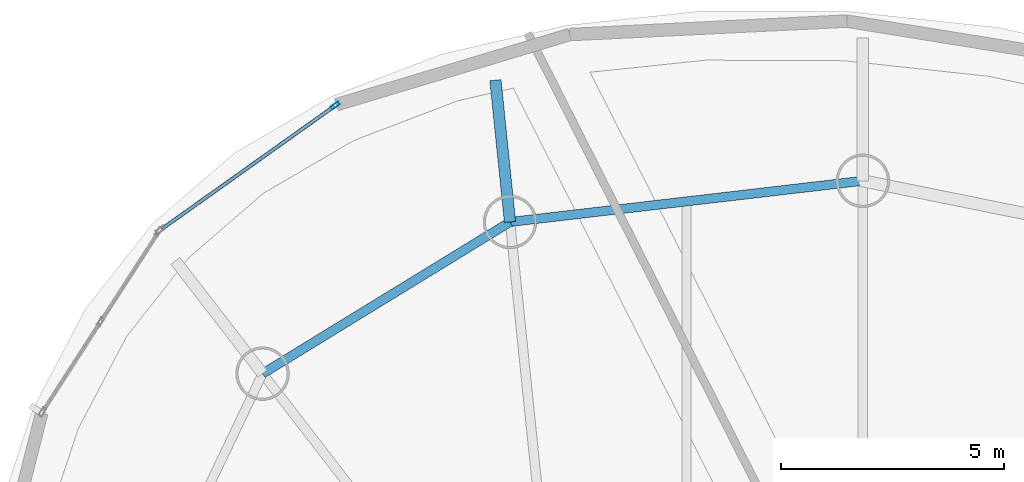
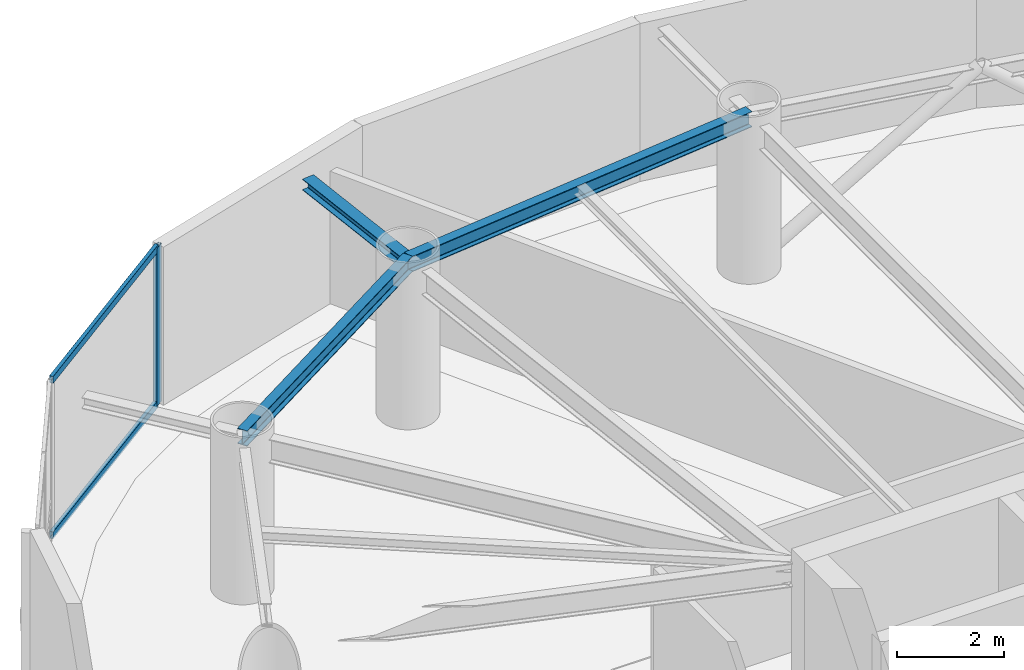
# One storey, part 9 of 18: 3 beams, 3 members, 1 element without a shape of its own.
"""IFC4 building model written with IfcOpenShell, lengths in metres."""

from ifc_helpers import new_model, si_unit, direction, frame, origin, origin_2d, place, context, subcontext, project, spatial, hollow_rectangle, i_section, extrude, material, layer, layer_set, material_profile, profile_set, type_object, element, aggregate, save


model = new_model("IFC4")

# Units and contexts
model_context = context("Model", 3, precision=1e-05, world=origin(), true_north=direction((0.0, 1.0)))
body_context = subcontext(model_context, "Body", "Model", "MODEL_VIEW")
ifc_project = project(units=[si_unit("LENGTHUNIT", "METRE"), si_unit("AREAUNIT", "SQUARE_METRE"), si_unit("VOLUMEUNIT", "CUBIC_METRE"), si_unit("PLANEANGLEUNIT", "RADIAN"), si_unit("MASSUNIT", "GRAM", prefix="KILO")], contexts=[model_context])

# Site, building, storey
site_placement = place(None, origin())
site = spatial("IfcSite", under=ifc_project, at=site_placement, CompositionType="ELEMENT")
building_placement = place(site_placement, origin())
building = spatial("IfcBuilding", under=site, at=building_placement, Name="Bramvorn Convention Spire", CompositionType="ELEMENT")
storey_placement = place(building_placement, frame((0.0, 0.0, 205.85009765625)))
storey = spatial("IfcBuildingStorey", under=building, at=storey_placement, Name="L52", CompositionType="ELEMENT", Elevation=205.85009765625)

# Beams
ifc_material_1 = material(Name="Steel CSA G40.21 Grade 350 (350W)", Category="steel")
ifc_material_profile_1 = material_profile(ifc_material_1, i_section(OverallWidth=0.25390625, OverallDepth=0.2529296875, WebThickness=0.008544921875, FlangeThickness=0.01416015625, FilletRadius=0.011962890625, at=origin_2d()))
ifc_profile_set_1 = profile_set([ifc_material_profile_1], Name="Steel CSA G40.21 Grade 350 (350W) - W250X73")
beam_type_1 = type_object("IfcBeamType", Name="BM-W250X73", PredefinedType="BEAM", material=ifc_profile_set_1)
beam_1_placement = place(storey_placement, frame((25.49560546875, 45.663818359375, 3.45849609375), z_axis=(-0.10223018875, 0.994760769486, 0.0), x_axis=(-0.994760769486, -0.10223018875, 0.0)))
element("IfcBeam", 1, at=beam_1_placement, inside=storey, type_object=beam_type_1, Name="L52 slab-edge cantilever tip beam MC08", PredefinedType="BEAM", context=body_context, shape_type="SweptSolid", body=[
    extrude(i_section(OverallWidth=0.25390625, OverallDepth=0.2529296875, WebThickness=0.008544921875, FlangeThickness=0.01416015625, FilletRadius=0.011962890625, at=origin_2d()), origin(), (0.0, 0.0, 1.0), 3.2001953125),
])
ifc_material_profile_2 = material_profile(ifc_material_1, i_section(OverallWidth=0.205078125, OverallDepth=0.35400390625, WebThickness=0.009521484375, FlangeThickness=0.016845703125, FilletRadius=0.014892578125, at=origin_2d()))
ifc_profile_set_2 = profile_set([ifc_material_profile_2], Name="Steel CSA G40.21 Grade 350 (350W) - W360X79")
beam_type_2 = type_object("IfcBeamType", Name="BM-W360X79", PredefinedType="JOIST", material=ifc_profile_set_2)
beam_2_placement = place(storey_placement, frame((33.416259765625, 46.58837890625, 3.44287109375), z_axis=(-0.993256148339, -0.115940604561, 0.0), x_axis=(0.115940604561, -0.993256148339, 0.0)))
element("IfcBeam", 2, at=beam_2_placement, inside=storey, type_object=beam_type_2, Name="L52 mega-column ring beam 07", PredefinedType="JOIST", context=body_context, shape_type="SweptSolid", body=[
    extrude(i_section(OverallWidth=0.205078125, OverallDepth=0.35400390625, WebThickness=0.009521484375, FlangeThickness=0.016845703125, FilletRadius=0.014892578125, at=origin_2d()), origin(), (0.0, 0.0, 1.0), 7.974365234375),
])
beam_3_placement = place(storey_placement, frame((25.49560546875, 45.663818359375, 3.44287109375), z_axis=(-0.852616873135, -0.522536570629, 0.0), x_axis=(0.522536570629, -0.852616873135, 0.0)))
element("IfcBeam", 3, at=beam_3_placement, inside=storey, type_object=beam_type_2, Name="L52 mega-column ring beam 08", PredefinedType="JOIST", context=body_context, shape_type="SweptSolid", body=[
    extrude(i_section(OverallWidth=0.205078125, OverallDepth=0.35400390625, WebThickness=0.009521484375, FlangeThickness=0.016845703125, FilletRadius=0.014892578125, at=origin_2d()), origin(), (0.0, 0.0, 1.0), 6.513916015625),
])

# Curtain wall, members
ifc_material_2 = material(Name="Anodised Bronze Unitised Curtain Wall", Category="aluminium")
ifc_layer = layer(ifc_material_2, 0.179931640625)
ifc_layer_set = layer_set([ifc_layer], Name="Anodised Bronze Unitised Curtain Wall - CW-OFF-FRIT")
curtain_wall_type = type_object("IfcCurtainWallType", Name="CW-OFF-FRIT", PredefinedType="USERDEFINED", material=ifc_layer_set)
curtain_wall_placement = place(storey_placement, origin())
curtain_wall = element("IfcCurtainWall", 4, at=curtain_wall_placement, inside=storey, type_object=curtain_wall_type, Name="L52 fritted glass curtain wall 12", ObjectType="UNITISED CURTAIN WALL", PredefinedType="USERDEFINED")
ifc_material_3 = material(Name="Anodised Bronze Aluminium 6063-T6", Category="aluminium")
ifc_material_profile_3 = material_profile(ifc_material_3, hollow_rectangle(XDim=0.080078125, YDim=0.199951171875, WallThickness=0.00390625, InnerFilletRadius=0.0009765625, OuterFilletRadius=0.00390625, at=origin_2d()))
ifc_profile_set_3 = profile_set([ifc_material_profile_3], Name="Anodised Bronze Aluminium 6063-T6 - CWM80X200")
member_type_1 = type_object("IfcMemberType", Name="CW-MUL-180", PredefinedType="MULLION", material=ifc_profile_set_3)
member_1_placement = place(storey_placement, frame((21.575439453125, 48.27880859375, 0.0), z_axis=(0.0, 0.0, 1.0), x_axis=(-0.579743501589, 0.814799038024, 0.0)))
member_1 = element("IfcMember", 5, at=member_1_placement, type_object=member_type_1, Name="CW3 mullion 2", PredefinedType="MULLION", context=body_context, shape_type="SweptSolid", body=[
    extrude(hollow_rectangle(XDim=0.080078125, YDim=0.199951171875, WallThickness=0.00390625, InnerFilletRadius=0.0009765625, OuterFilletRadius=0.00390625, at=origin_2d()), origin(), (0.0, 0.0, 1.0), 3.619873046875),
])
ifc_material_profile_4 = material_profile(ifc_material_3, hollow_rectangle(XDim=0.080078125, YDim=0.159912109375, WallThickness=0.00390625, InnerFilletRadius=0.0009765625, OuterFilletRadius=0.00390625, at=origin_2d()))
ifc_profile_set_4 = profile_set([ifc_material_profile_4], Name="Anodised Bronze Aluminium 6063-T6 - CWT80X160")
member_type_2 = type_object("IfcMemberType", Name="CW-TRN-150", PredefinedType="USERDEFINED", material=ifc_profile_set_4)
member_2_placement = place(storey_placement, frame((17.67578125, 45.50390625, 0.02978515625), z_axis=(0.814796903226, 0.579746501924, 0.0), x_axis=(-0.579746501924, 0.814796903226, 0.0)))
member_2 = element("IfcMember", 6, at=member_2_placement, type_object=member_type_2, Name="CW3 transom 1.1", ObjectType="TRANSOM", PredefinedType="USERDEFINED", context=body_context, shape_type="SweptSolid", body=[
    extrude(hollow_rectangle(XDim=0.080078125, YDim=0.159912109375, WallThickness=0.00390625, InnerFilletRadius=0.0009765625, OuterFilletRadius=0.00390625, at=origin_2d()), origin(), (0.0, 0.0, 1.0), 4.756103515625),
])
member_3_placement = place(storey_placement, frame((17.67578125, 45.50390625, 3.58984375), z_axis=(0.814796903226, 0.579746501924, 0.0), x_axis=(-0.579746501924, 0.814796903226, 0.0)))
member_3 = element("IfcMember", 7, at=member_3_placement, type_object=member_type_2, Name="CW3 transom 1.2", ObjectType="TRANSOM", PredefinedType="USERDEFINED", context=body_context, shape_type="SweptSolid", body=[
    extrude(hollow_rectangle(XDim=0.080078125, YDim=0.159912109375, WallThickness=0.00390625, InnerFilletRadius=0.0009765625, OuterFilletRadius=0.00390625, at=origin_2d()), origin(), (0.0, 0.0, 1.0), 4.756103515625),
])
aggregate(curtain_wall, [member_1, member_2, member_3])

save(model, "model.ifc")
